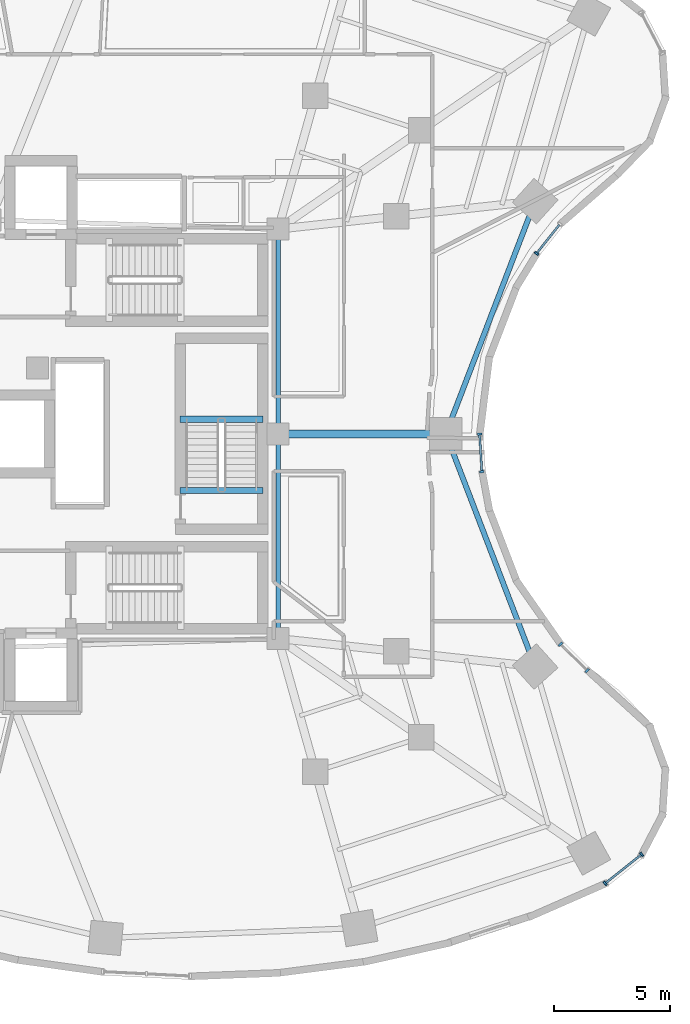
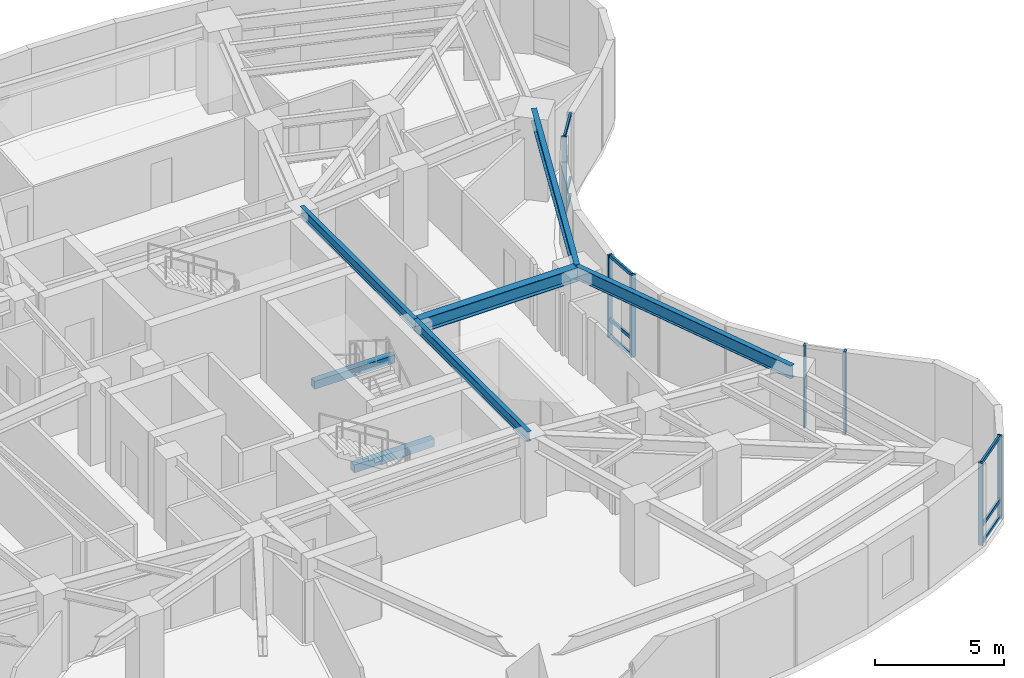
# One storey, part 4 of 15: 16 members, 7 beams, 4 elements without a shape of their own.
"""IFC4 building model written with IfcOpenShell, lengths in metres."""

from ifc_helpers import new_model, si_unit, direction, frame, origin, origin_2d, place, context, subcontext, project, spatial, rectangle, i_section, extrude, material, layer, layer_set, material_profile, profile_set, type_object, element, aggregate, save


model = new_model("IFC4")

# Units and contexts
model_context = context("Model", 3, precision=1e-05, world=origin(), true_north=direction((0.0, 1.0)))
body_context = subcontext(model_context, "Body", "Model", "MODEL_VIEW")
ifc_project = project(units=[si_unit("LENGTHUNIT", "METRE"), si_unit("AREAUNIT", "SQUARE_METRE"), si_unit("VOLUMEUNIT", "CUBIC_METRE"), si_unit("PLANEANGLEUNIT", "RADIAN"), si_unit("MASSUNIT", "GRAM", prefix="KILO")], contexts=[model_context])

# Site, building, storey
site_placement = place(None, origin())
site = spatial("IfcSite", under=ifc_project, at=site_placement, CompositionType="ELEMENT")
building_placement = place(site_placement, origin())
building = spatial("IfcBuilding", under=site, at=building_placement, Name="Korentha Bioscience Tower", CompositionType="ELEMENT")
storey_placement = place(building_placement, frame((0.0, 0.0, 30.0)))
storey = spatial("IfcBuildingStorey", under=building, at=storey_placement, Name="L06", CompositionType="ELEMENT", Elevation=30.0)

# Beams
ifc_material_1 = material(Name="Concrete C50", Category="concrete")
ifc_material_profile_1 = material_profile(ifc_material_1, rectangle(XDim=0.280029296875, YDim=0.3798828125, at=origin_2d()), Name="Concrete C50")
ifc_profile_set_1 = profile_set([ifc_material_profile_1], Name="Concrete C50 (ST-HB380)")
beam_type_1 = type_object("IfcBeamType", Name="Concrete Stair Header Beam RC 280x380", PredefinedType="BEAM", material=ifc_profile_set_1)
for number, where, z_axis, x_axis, name in (
    (1, (36.89990234375, 24.550048828125, -0.18994140625), (-1.0, 0.0, 0.0), (0.0, -1.0, 0.0), "L06 ST-3 Concrete Stair Header Beam"),
    (2, (36.89990234375, 27.6298828125, 1.909912109375), (-1.0, 0.0, 0.0), (0.0, -1.0, 0.0), "L06 ST-3 Half-Landing Header Beam 1"),
):
    element("IfcBeam", number, at=place(storey_placement, frame(where, z_axis=z_axis, x_axis=x_axis)), inside=storey, type_object=beam_type_1, Name=name, PredefinedType="BEAM", context=body_context, shape_type="SweptSolid", body=[
        extrude(rectangle(XDim=0.280029296875, YDim=0.3798828125, at=origin_2d()), origin(), (0.0, 0.0, 1.0), 3.599853515625),
    ])
ifc_material_2 = material(Name="Steel S355", Category="steel")
ifc_material_profile_2 = material_profile(ifc_material_2, i_section(OverallWidth=0.18994140625, OverallDepth=0.45703125, WebThickness=0.009033203125, FlangeThickness=0.014404296875, at=origin_2d()), Name="Steel S355")
ifc_profile_set_2 = profile_set([ifc_material_profile_2], Name="Steel S355 (MB-460)")
beam_type_2 = type_object("IfcBeamType", Name="Mid-Ring Tie Girder W460x74", PredefinedType="BEAM", material=ifc_profile_set_2)
for number, where, z_axis, x_axis, name in (
    (3, (37.550048828125, 18.14990234375, 3.67138671875), (0.0, 1.0, 0.0), (-1.0, 0.0, 0.0), "L06 Core Ring Tie Girder 06"),
    (4, (37.550048828125, 27.0, 3.67138671875), (0.0, 1.0, 0.0), (-1.0, 0.0, 0.0), "L06 Core Ring Tie Girder 07"),
):
    element("IfcBeam", number, at=place(storey_placement, frame(where, z_axis=z_axis, x_axis=x_axis)), inside=storey, type_object=beam_type_2, Name=name, PredefinedType="BEAM", context=body_context, shape_type="SweptSolid", body=[
        extrude(i_section(OverallWidth=0.18994140625, OverallDepth=0.45703125, WebThickness=0.009033203125, FlangeThickness=0.014404296875, at=origin_2d()), origin(), (0.0, 0.0, 1.0), 8.85009765625),
    ])

# Curtain wall, members
ifc_material_3 = material(Name="Thermally Broken Aluminium Frame", Category="aluminium")
ifc_layer = layer(ifc_material_3, 0.219970703125, Name="Thermally Broken Aluminium Frame")
ifc_layer_set = layer_set([ifc_layer], Name="Thermally Broken Aluminium Frame (CW-T1)")
curtain_wall_type = type_object("IfcCurtainWallType", Name="Standard Bioscience Lab Unitised Curtain Wall CW-T1", PredefinedType="USERDEFINED", material=ifc_layer_set)
curtain_wall_1_placement = place(storey_placement, origin())
curtain_wall_1 = element("IfcCurtainWall", 5, at=curtain_wall_1_placement, inside=storey, type_object=curtain_wall_type, Name="L06 Curtain Wall 37", ObjectType="UNITISED", PredefinedType="USERDEFINED")
ifc_material_4 = material(Name="Anodised Aluminium 6063-T6", Category="aluminium")
ifc_material_profile_3 = material_profile(ifc_material_4, rectangle(XDim=0.090087890625, YDim=0.199951171875, at=origin_2d()), Name="Anodised Aluminium 6063-T6")
ifc_profile_set_3 = profile_set([ifc_material_profile_3], Name="Anodised Aluminium 6063-T6 (CW-MUL)")
member_type_1 = type_object("IfcMemberType", Name="Mullion RECT 90x200", PredefinedType="MULLION", material=ifc_profile_set_3)
member_1_placement = place(storey_placement, frame((51.6865234375, 7.56298828125, 0.0), z_axis=(0.0, 0.0, 1.0), x_axis=(0.782287851332, 0.62291710336, 0.0)))
member_1 = element("IfcMember", 6, at=member_1_placement, type_object=member_type_1, Name="CW-L06-37 Mullion 1", PredefinedType="MULLION", context=body_context, shape_type="SweptSolid", body=[
    extrude(rectangle(XDim=0.090087890625, YDim=0.199951171875, at=origin_2d()), origin(), (0.0, 0.0, 1.0), 3.89990234375),
])
member_2_placement = place(storey_placement, frame((53.264892578125, 8.81982421875, 0.0), z_axis=(0.0, 0.0, 1.0), x_axis=(0.782287851332, 0.62291710336, 0.0)))
member_2 = element("IfcMember", 7, at=member_2_placement, type_object=member_type_1, Name="CW-L06-37 Mullion 2", PredefinedType="MULLION", context=body_context, shape_type="SweptSolid", body=[
    extrude(rectangle(XDim=0.090087890625, YDim=0.199951171875, at=origin_2d()), origin(), (0.0, 0.0, 1.0), 3.89990234375),
])

curtain_wall_2_placement = place(storey_placement, origin())
curtain_wall_2 = element("IfcCurtainWall", 8, at=curtain_wall_2_placement, inside=storey, type_object=curtain_wall_type, Name="L06 Curtain Wall 43", ObjectType="UNITISED", PredefinedType="USERDEFINED")
member_3_placement = place(storey_placement, frame((50.913818359375, 16.76513671875, 0.0), z_axis=(0.0, 0.0, 1.0), x_axis=(-0.713279246754, 0.700879958445, 0.0)))
member_3 = element("IfcMember", 9, at=member_3_placement, type_object=member_type_1, Name="CW-L06-43 Mullion 1", PredefinedType="MULLION", context=body_context, shape_type="SweptSolid", body=[
    extrude(rectangle(XDim=0.090087890625, YDim=0.199951171875, at=origin_2d()), origin(), (0.0, 0.0, 1.0), 3.89990234375),
])
member_4_placement = place(storey_placement, frame((49.752685546875, 17.90625, 0.0), z_axis=(0.0, 0.0, 1.0), x_axis=(-0.713279246754, 0.700879958445, 0.0)))
member_4 = element("IfcMember", 10, at=member_4_placement, type_object=member_type_1, Name="CW-L06-43 Mullion 2", PredefinedType="MULLION", context=body_context, shape_type="SweptSolid", body=[
    extrude(rectangle(XDim=0.090087890625, YDim=0.199951171875, at=origin_2d()), origin(), (0.0, 0.0, 1.0), 3.89990234375),
])
aggregate(curtain_wall_2, [member_3, member_4])

curtain_wall_3_placement = place(storey_placement, origin())
curtain_wall_3 = element("IfcCurtainWall", 11, at=curtain_wall_3_placement, inside=storey, type_object=curtain_wall_type, Name="L06 Curtain Wall 49", ObjectType="UNITISED", PredefinedType="USERDEFINED")
member_5_placement = place(storey_placement, frame((46.355712890625, 25.3603515625, 0.0), z_axis=(0.0, 0.0, 1.0), x_axis=(-0.061008272998, 0.998137260413, 0.0)))
member_5 = element("IfcMember", 12, at=member_5_placement, type_object=member_type_1, Name="CW-L06-49 Mullion 1", PredefinedType="MULLION", context=body_context, shape_type="SweptSolid", body=[
    extrude(rectangle(XDim=0.090087890625, YDim=0.199951171875, at=origin_2d()), origin(), (0.0, 0.0, 1.0), 3.89990234375),
])
member_6_placement = place(storey_placement, frame((46.25634765625, 26.985107421875, 0.0), z_axis=(0.0, 0.0, 1.0), x_axis=(-0.061008272998, 0.998137260413, 0.0)))
member_6 = element("IfcMember", 13, at=member_6_placement, type_object=member_type_1, Name="CW-L06-49 Mullion 2", PredefinedType="MULLION", context=body_context, shape_type="SweptSolid", body=[
    extrude(rectangle(XDim=0.090087890625, YDim=0.199951171875, at=origin_2d()), origin(), (0.0, 0.0, 1.0), 3.89990234375),
])

# Curtain wall, member
curtain_wall_4_placement = place(storey_placement, origin())
curtain_wall_4 = element("IfcCurtainWall", 14, at=curtain_wall_4_placement, inside=storey, type_object=curtain_wall_type, Name="L06 Curtain Wall 55", ObjectType="UNITISED", PredefinedType="USERDEFINED")
member_7_placement = place(storey_placement, frame((48.719482421875, 34.7978515625, 0.0), z_axis=(0.0, 0.0, 1.0), x_axis=(0.622520324648, 0.782603632371, 0.0)))
member_7 = element("IfcMember", 15, at=member_7_placement, type_object=member_type_1, Name="CW-L06-55 Mullion 1", PredefinedType="MULLION", context=body_context, shape_type="SweptSolid", body=[
    extrude(rectangle(XDim=0.090087890625, YDim=0.199951171875, at=origin_2d()), origin(), (0.0, 0.0, 1.0), 3.89990234375),
])

# Beams
ifc_material_profile_4 = material_profile(ifc_material_2, i_section(OverallWidth=0.22802734375, OverallDepth=0.60791015625, WebThickness=0.01123046875, FlangeThickness=0.017333984375, at=origin_2d()), Name="Steel S355")
ifc_profile_set_4 = profile_set([ifc_material_profile_4], Name="Steel S355 (SB-610)")
beam_type_3 = type_object("IfcBeamType", Name="Perimeter Ring Spandrel Girder W610x113", PredefinedType="SPANDREL", material=ifc_profile_set_4)
for number, where, z_axis, x_axis, name in (
    (16, (48.661865234375, 16.939208984375, 3.595947265625), (-0.358473520253, 0.93353989485, 0.0), (-0.93353989485, -0.358473520253, 0.0), "L06 Perimeter Spandrel Girder 14"),
    (17, (44.798583984375, 27.0, 3.595947265625), (0.358473520253, 0.93353989485, 0.0), (-0.93353989485, 0.358473520253, 0.0), "L06 Perimeter Spandrel Girder 15"),
):
    element("IfcBeam", number, at=place(storey_placement, frame(where, z_axis=z_axis, x_axis=x_axis)), inside=storey, type_object=beam_type_3, Name=name, PredefinedType="SPANDREL", context=body_context, shape_type="SweptSolid", body=[
        extrude(i_section(OverallWidth=0.22802734375, OverallDepth=0.60791015625, WebThickness=0.01123046875, FlangeThickness=0.017333984375, at=origin_2d()), origin(), (0.0, 0.0, 1.0), 10.777099609375),
    ])
ifc_material_profile_5 = material_profile(ifc_material_2, i_section(OverallWidth=0.35009765625, OverallDepth=0.64990234375, WebThickness=0.01611328125, FlangeThickness=0.02490234375, at=origin_2d()), Name="Steel S355")
ifc_profile_set_5 = profile_set([ifc_material_profile_5], Name="Steel S355 (RB-650)")
beam_type_4 = type_object("IfcBeamType", Name="Radial Laboratory Girder CVS 650x208", PredefinedType="BEAM", material=ifc_profile_set_5)
beam_placement = place(storey_placement, frame((37.550048828125, 27.0, 3.574951171875), z_axis=(1.0, 0.0, 0.0), x_axis=(0.0, 1.0, 0.0)))
element("IfcBeam", 18, at=beam_placement, inside=storey, type_object=beam_type_4, Name="L06 Radial Girder 15", PredefinedType="BEAM", context=body_context, shape_type="SweptSolid", body=[
    extrude(i_section(OverallWidth=0.35009765625, OverallDepth=0.64990234375, WebThickness=0.01611328125, FlangeThickness=0.02490234375, at=origin_2d()), origin(), (0.0, 0.0, 1.0), 7.24853515625),
])

# Member
ifc_material_profile_6 = material_profile(ifc_material_4, rectangle(XDim=0.090087890625, YDim=0.159912109375, at=origin_2d()), Name="Anodised Aluminium 6063-T6")
ifc_profile_set_6 = profile_set([ifc_material_profile_6], Name="Anodised Aluminium 6063-T6 (CW-TRN)")
member_type_2 = type_object("IfcMemberType", Name="Transom RECT 90x160", PredefinedType="USERDEFINED", material=ifc_profile_set_6)
member_8_placement = place(storey_placement, frame((51.7216796875, 7.591064453125, 0.044921875), z_axis=(0.78232471634, 0.622870803782, 0.0), x_axis=(-0.622870803782, 0.78232471634, 0.0)))
member_8 = element("IfcMember", 19, at=member_8_placement, type_object=member_type_2, Name="CW-L06-37 Bay 1 Transom 1", ObjectType="TRANSOM", PredefinedType="USERDEFINED", context=body_context, shape_type="SweptSolid", body=[
    extrude(rectangle(XDim=0.090087890625, YDim=0.159912109375, at=origin_2d()), origin(), (0.0, 0.0, 1.0), 1.927734375),
])

member_9_placement = place(storey_placement, frame((51.7216796875, 7.591064453125, 0.85009765625), z_axis=(0.78232471634, 0.622870803782, 0.0), x_axis=(-0.622870803782, 0.78232471634, 0.0)))
member_9 = element("IfcMember", 20, at=member_9_placement, type_object=member_type_2, Name="CW-L06-37 Bay 1 Transom 2", ObjectType="TRANSOM", PredefinedType="USERDEFINED", context=body_context, shape_type="SweptSolid", body=[
    extrude(rectangle(XDim=0.090087890625, YDim=0.159912109375, at=origin_2d()), origin(), (0.0, 0.0, 1.0), 1.927734375),
])

member_10_placement = place(storey_placement, frame((51.7216796875, 7.591064453125, 3.85498046875), z_axis=(0.78232471634, 0.622870803782, 0.0), x_axis=(-0.622870803782, 0.78232471634, 0.0)))
member_10 = element("IfcMember", 21, at=member_10_placement, type_object=member_type_2, Name="CW-L06-37 Bay 1 Transom 3", ObjectType="TRANSOM", PredefinedType="USERDEFINED", context=body_context, shape_type="SweptSolid", body=[
    extrude(rectangle(XDim=0.090087890625, YDim=0.159912109375, at=origin_2d()), origin(), (0.0, 0.0, 1.0), 1.927734375),
])

aggregate(curtain_wall_1, [member_1, member_2, member_8, member_9, member_10])

member_11_placement = place(storey_placement, frame((46.352783203125, 25.4052734375, 0.044921875), z_axis=(-0.060964804815, 0.998139916331, 0.0), x_axis=(-0.998139916331, -0.060964804815, 0.0)))
member_11 = element("IfcMember", 22, at=member_11_placement, type_object=member_type_2, Name="CW-L06-49 Bay 1 Transom 1", ObjectType="TRANSOM", PredefinedType="USERDEFINED", context=body_context, shape_type="SweptSolid", body=[
    extrude(rectangle(XDim=0.090087890625, YDim=0.159912109375, at=origin_2d()), origin(), (0.0, 0.0, 1.0), 1.537841796875),
])

member_12_placement = place(storey_placement, frame((46.352783203125, 25.4052734375, 0.85009765625), z_axis=(-0.060964804815, 0.998139916331, 0.0), x_axis=(-0.998139916331, -0.060964804815, 0.0)))
member_12 = element("IfcMember", 23, at=member_12_placement, type_object=member_type_2, Name="CW-L06-49 Bay 1 Transom 2", ObjectType="TRANSOM", PredefinedType="USERDEFINED", context=body_context, shape_type="SweptSolid", body=[
    extrude(rectangle(XDim=0.090087890625, YDim=0.159912109375, at=origin_2d()), origin(), (0.0, 0.0, 1.0), 1.537841796875),
])

member_13_placement = place(storey_placement, frame((46.352783203125, 25.4052734375, 3.85498046875), z_axis=(-0.060964804815, 0.998139916331, 0.0), x_axis=(-0.998139916331, -0.060964804815, 0.0)))
member_13 = element("IfcMember", 24, at=member_13_placement, type_object=member_type_2, Name="CW-L06-49 Bay 1 Transom 3", ObjectType="TRANSOM", PredefinedType="USERDEFINED", context=body_context, shape_type="SweptSolid", body=[
    extrude(rectangle(XDim=0.090087890625, YDim=0.159912109375, at=origin_2d()), origin(), (0.0, 0.0, 1.0), 1.537841796875),
])

aggregate(curtain_wall_3, [member_5, member_6, member_11, member_12, member_13])

member_14_placement = place(storey_placement, frame((48.74755859375, 34.8330078125, 0.044921875), z_axis=(0.622563336945, 0.782569416405, 0.0), x_axis=(-0.782569416405, 0.622563336945, 0.0)))
member_14 = element("IfcMember", 25, at=member_14_placement, type_object=member_type_2, Name="CW-L06-55 Bay 1 Transom 1", ObjectType="TRANSOM", PredefinedType="USERDEFINED", context=body_context, shape_type="SweptSolid", body=[
    extrude(rectangle(XDim=0.090087890625, YDim=0.159912109375, at=origin_2d()), origin(), (0.0, 0.0, 1.0), 1.5380859375),
])

member_15_placement = place(storey_placement, frame((48.74755859375, 34.8330078125, 0.85009765625), z_axis=(0.622563336945, 0.782569416405, 0.0), x_axis=(-0.782569416405, 0.622563336945, 0.0)))
member_15 = element("IfcMember", 26, at=member_15_placement, type_object=member_type_2, Name="CW-L06-55 Bay 1 Transom 2", ObjectType="TRANSOM", PredefinedType="USERDEFINED", context=body_context, shape_type="SweptSolid", body=[
    extrude(rectangle(XDim=0.090087890625, YDim=0.159912109375, at=origin_2d()), origin(), (0.0, 0.0, 1.0), 1.5380859375),
])

member_16_placement = place(storey_placement, frame((48.74755859375, 34.8330078125, 3.85498046875), z_axis=(0.622563336945, 0.782569416405, 0.0), x_axis=(-0.782569416405, 0.622563336945, 0.0)))
member_16 = element("IfcMember", 27, at=member_16_placement, type_object=member_type_2, Name="CW-L06-55 Bay 1 Transom 3", ObjectType="TRANSOM", PredefinedType="USERDEFINED", context=body_context, shape_type="SweptSolid", body=[
    extrude(rectangle(XDim=0.090087890625, YDim=0.159912109375, at=origin_2d()), origin(), (0.0, 0.0, 1.0), 1.5380859375),
])

aggregate(curtain_wall_4, [member_7, member_14, member_15, member_16])

save(model, "model.ifc")
